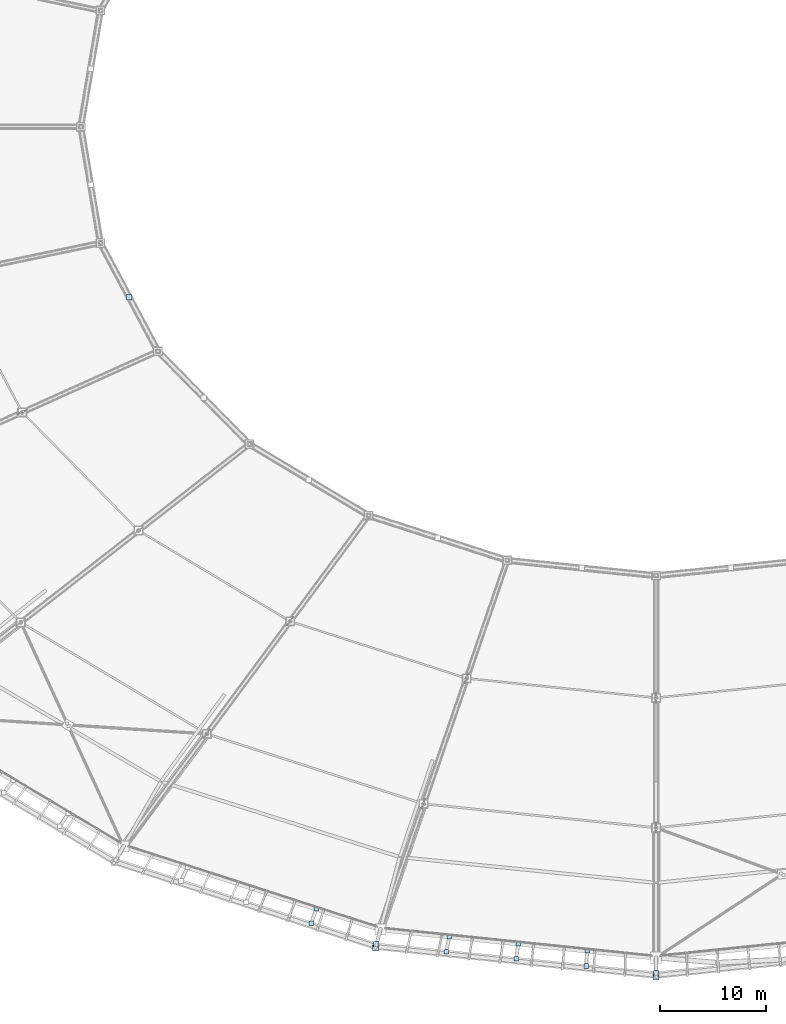
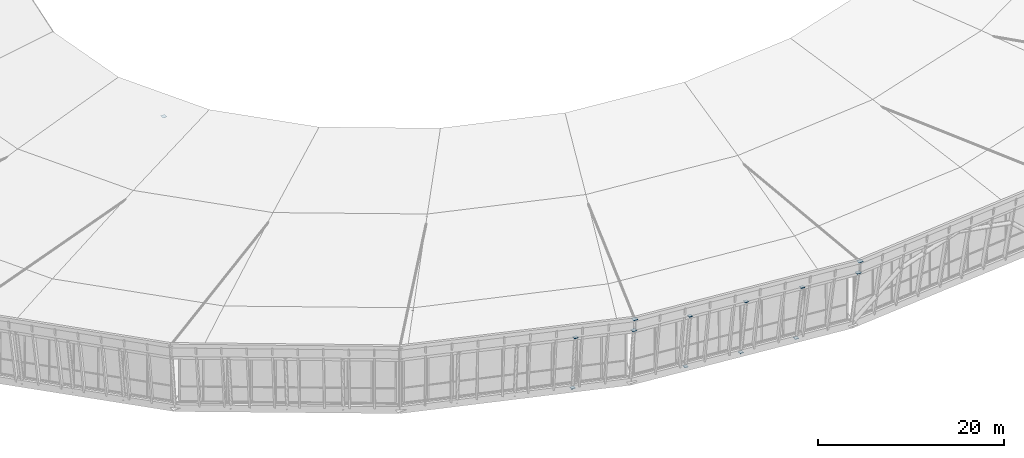
# One storey, part 101 of 115: 13 plates.
"""IFC4 building model written with IfcOpenShell, lengths in metres."""

import ifcopenshell
import ifcopenshell.guid

model = None  # the IFC model being written
_history = None  # IfcOwnerHistory: only IFC2X3 demands one
_inside = {}  # id of a spatial element -> (the spatial element, [elements in it])
_under = {}  # id of a project, library or spatial element -> (it, [spatial elements below it])
_declared = {}  # id of a project -> (the project, [libraries it declares])
_typed = {}  # id of a type object -> (the type object, [elements of that type])
_made_of = {}  # id of a material, layer set ... -> (it, [elements and type objects made of it])


def new_model(schema):
    """Start an empty IFC model of exactly this schema.

    Asked for "IFC4X3", IfcOpenShell would pick the latest addendum, in which some entities
    have other attributes; the version numbers below select the first issue.
    IFC2X3 requires an IfcOwnerHistory on every rooted entity: one is made here for all.
    """
    global model, _history
    if schema == "IFC4X3":
        model = ifcopenshell.file(schema_version=(4, 3, 0, 0))
    else:
        model = ifcopenshell.file(schema=schema)
    _inside.clear()
    _under.clear()
    _declared.clear()
    _typed.clear()
    _made_of.clear()
    _history = None
    if model.schema == "IFC2X3":
        org = make("IfcOrganization", Name="unknown")
        user = make(
            "IfcPersonAndOrganization",
            ThePerson=make("IfcPerson", FamilyName="unknown"),
            TheOrganization=org,
        )
        app = make(
            "IfcApplication",
            ApplicationDeveloper=org,
            Version="unknown",
            ApplicationFullName="unknown",
            ApplicationIdentifier="unknown",
        )
        _history = make(
            "IfcOwnerHistory",
            OwningUser=user,
            OwningApplication=app,
            ChangeAction="ADDED",
            CreationDate=0,
        )
    return model


def make(cls, **values):
    """One entity of the class cls with the attributes given. An attribute that is None is left unset."""
    return model.create_entity(
        cls, **{name: value for name, value in values.items() if value is not None}
    )


def rooted(cls, **values):
    """An entity with a GlobalId (a new one), such as an element, a storey or a relation."""
    return make(cls, GlobalId=ifcopenshell.guid.new(), OwnerHistory=_history, **values)


def si_unit(unit_type, name, prefix=None):
    """IfcSIUnit, for example si_unit("LENGTHUNIT", "METRE", prefix="MILLI")."""
    return make("IfcSIUnit", UnitType=unit_type, Prefix=prefix, Name=name)


def assignment(units):
    """IfcUnitAssignment: the units of a project."""
    return None if units is None else make("IfcUnitAssignment", Units=units)


def point(xyz):
    """IfcCartesianPoint."""
    return None if xyz is None else make("IfcCartesianPoint", Coordinates=xyz)


def direction(xyz):
    """IfcDirection."""
    return None if xyz is None else make("IfcDirection", DirectionRatios=xyz)


def frame(location, z_axis=None, x_axis=None):
    """IfcAxis2Placement3D, a coordinate frame: its origin and axes. An axis left out is left unset."""
    return make(
        "IfcAxis2Placement3D",
        Location=point(location),
        Axis=direction(z_axis),
        RefDirection=direction(x_axis),
    )


def frame_2d(location, x_axis=None):
    """IfcAxis2Placement2D, a coordinate frame in the plane: its origin and x axis."""
    return make(
        "IfcAxis2Placement2D", Location=point(location), RefDirection=direction(x_axis)
    )


def origin():
    """The frame at (0, 0, 0) with its axes left unset."""
    return frame((0.0, 0.0, 0.0))


def origin_2d():
    """The frame at (0, 0) in the plane with its x axis left unset."""
    return frame_2d((0.0, 0.0))


def place(relative_to, where):
    """IfcLocalPlacement: puts the frame where relative to a parent placement (None: the world)."""
    return make(
        "IfcLocalPlacement", PlacementRelTo=relative_to, RelativePlacement=where
    )


def context(
    kind, dimensions, precision=None, world=None, true_north=None, identifier=None
):
    """IfcGeometricRepresentationContext, for example the 3D "Model" context."""
    return make(
        "IfcGeometricRepresentationContext",
        ContextIdentifier=identifier,
        ContextType=kind,
        CoordinateSpaceDimension=dimensions,
        Precision=precision,
        WorldCoordinateSystem=world,
        TrueNorth=true_north,
    )


def subcontext(parent, identifier, kind, view, scale=None):
    """IfcGeometricRepresentationSubContext, for example "Body" below "Model"."""
    return make(
        "IfcGeometricRepresentationSubContext",
        ContextIdentifier=identifier,
        ContextType=kind,
        ParentContext=parent,
        TargetScale=scale,
        TargetView=view,
    )


def project(units=None, contexts=None):
    """IfcProject with its units and contexts."""
    return rooted(
        "IfcProject",
        Name="project",
        RepresentationContexts=contexts,
        UnitsInContext=assignment(units),
    )


def spatial(cls, under=None, at=None, **own):
    """A site, building, storey or space (cls), placed at a placement, below another one or the project."""
    s = rooted(cls, ObjectPlacement=at, **own)
    if under is not None:
        _under.setdefault(under.id(), (under, []))[1].append(s)
    return s


def profile(cls, at=None, kind="AREA", **sizes):
    """A parametric profile (cls). Its sizes go by their IFC names, for example OverallWidth=200.0."""
    return make(cls, ProfileType=kind, Position=at, **sizes)


def rectangle(**sizes):
    """IfcRectangleProfileDef."""
    return profile("IfcRectangleProfileDef", **sizes)


def extrude(swept, where, along, depth):
    """IfcExtrudedAreaSolid: the profile swept, set in the frame where, extruded along a direction by depth."""
    return make(
        "IfcExtrudedAreaSolid",
        SweptArea=swept,
        Position=where,
        ExtrudedDirection=direction(along),
        Depth=depth,
    )


def shape(context_of_items, identifier, shape_type, items):
    """IfcShapeRepresentation: the items that make up one representation, for example the "Body"."""
    return make(
        "IfcShapeRepresentation",
        ContextOfItems=context_of_items,
        RepresentationIdentifier=identifier,
        RepresentationType=shape_type,
        Items=items,
    )


def material(Name=None, Category=None):
    """IfcMaterial."""
    return make("IfcMaterial", Name=Name, Category=Category)


def layer(
    of_material, thickness, ventilated=None, Name=None, Category=None, Priority=None
):
    """IfcMaterialLayer: one layer of a wall or slab, of a material (None: an air gap)."""
    return make(
        "IfcMaterialLayer",
        Material=of_material,
        LayerThickness=thickness,
        IsVentilated=ventilated,
        Name=Name,
        Category=Category,
        Priority=Priority,
    )


def layer_set(layers, Name=None):
    """IfcMaterialLayerSet."""
    return make("IfcMaterialLayerSet", MaterialLayers=layers, LayerSetName=Name)


def made_of(thing, what):
    """Note that an element or type object is made of a material, layer set ...; save() writes the relation."""
    if what is not None:
        _made_of.setdefault(what.id(), (what, []))[1].append(thing)
    return thing


def type_object(cls, material=None, **own):
    """A type object (cls), such as IfcWallType, which elements share."""
    return made_of(rooted(cls, **own), material)


def element(
    cls,
    number,
    at=None,
    inside=None,
    cuts=None,
    type_object=None,
    material=None,
    context=None,
    identifier="Body",
    shape_type=None,
    held_by="IfcProductDefinitionShape",
    body=None,
    shapes=None,
    **own,
):
    """One element of the class cls, such as IfcWall. Its Tag is "e" and its number.

    at: its placement. inside: the storey or other place that contains it. cuts: it is an
    opening in that element (IfcRelVoidsElement). A single representation is given by context,
    identifier, shape_type and body (its items); several are given by shapes. held_by: the class
    of the entity that holds the representations. save() writes the other relations.
    """
    e = rooted(cls, Tag="e%d" % number, ObjectPlacement=at, **own)
    if body is not None:
        shapes = [shape(context, identifier, shape_type, body)]
    if shapes is not None:
        e.Representation = make(held_by, Representations=shapes)
    if inside is not None:
        _inside.setdefault(inside.id(), (inside, []))[1].append(e)
    if cuts is not None:
        rooted(
            "IfcRelVoidsElement", RelatingBuildingElement=cuts, RelatedOpeningElement=e
        )
    if type_object is not None:
        _typed.setdefault(type_object.id(), (type_object, []))[1].append(e)
    return made_of(e, material)


def aggregate(whole, parts):
    """IfcRelAggregates: a whole, such as a stair, and the parts it consists of."""
    return rooted("IfcRelAggregates", RelatingObject=whole, RelatedObjects=parts)


def save(model, path):
    """Write the relations noted so far, then the file.

    IfcRelAggregates (storeys below a building ...), IfcRelContainedInSpatialStructure (elements
    in a storey), IfcRelDefinesByType, IfcRelAssociatesMaterial and IfcRelDeclares: one each for
    every whole, place, type object, material and project.
    """
    for whole, parts in _under.values():
        aggregate(whole, parts)
    for where, things in _inside.values():
        rooted(
            "IfcRelContainedInSpatialStructure",
            RelatedElements=things,
            RelatingStructure=where,
        )
    for kind, things in _typed.values():
        rooted("IfcRelDefinesByType", RelatedObjects=things, RelatingType=kind)
    for what, things in _made_of.values():
        rooted("IfcRelAssociatesMaterial", RelatedObjects=things, RelatingMaterial=what)
    for by, libraries in _declared.values():
        rooted("IfcRelDeclares", RelatingContext=by, RelatedDefinitions=libraries)
    model.write(path)


model = new_model("IFC4")

# Units and contexts
model_context = context("Model", 3, precision=1e-05, world=origin(), true_north=direction((0.0, 1.0)))
body_context = subcontext(model_context, "Body", "Model", "MODEL_VIEW")
ifc_project = project(units=[si_unit("LENGTHUNIT", "METRE"), si_unit("AREAUNIT", "SQUARE_METRE"), si_unit("VOLUMEUNIT", "CUBIC_METRE"), si_unit("PLANEANGLEUNIT", "RADIAN"), si_unit("MASSUNIT", "GRAM", prefix="KILO")], contexts=[model_context])

# Site, building, storey
site_placement = place(None, origin())
site = spatial("IfcSite", under=ifc_project, at=site_placement, CompositionType="ELEMENT")
building_placement = place(site_placement, origin())
building = spatial("IfcBuilding", under=site, at=building_placement, Name="Zlatoyarsky Gate Stadium", CompositionType="ELEMENT")
storey_placement = place(building_placement, frame((0.0, 0.0, 31.800048828125)))
storey = spatial("IfcBuildingStorey", under=building, at=storey_placement, Name="RF", CompositionType="ELEMENT", Elevation=31.800048828125)

# Plates
ifc_material = material(Name="Steel S355", Category="steel")
ifc_layer = layer(ifc_material, 0.02392578125)
ifc_layer_set = layer_set([ifc_layer], Name="Steel S355")
plate_type = type_object("IfcPlateType", Name="STEEL HOLLOW CHORD SPLICE SHEET 24", PredefinedType="SHEET", material=ifc_layer_set)
plate_1_placement = place(storey_placement, frame((61.523681640625, 64.013671875, 6.43798828125), z_axis=(0.0, 0.0, 1.0), x_axis=(1.0, 0.0, 0.0)))
element("IfcPlate", 1, at=plate_1_placement, inside=storey, type_object=plate_type, Name="Node closure plate ND-SP1 NCAP-CATM-13", PredefinedType="SHEET", context=body_context, shape_type="SweptSolid", body=[
    extrude(rectangle(XDim=0.52001953125, YDim=0.52001953125, at=origin_2d()), origin(), (0.0, 0.0, 1.0), 0.02392578125),
])
for number, where, z_axis, x_axis, name in (
    (2, (79.079833984375, 6.579833984375, -0.4619140625), (0.0, 0.0, 1.0), (1.0, 0.0, 0.0), "Node closure plate ND-SP1 NCAP-RIB-16-3-4T"),
    (3, (78.611328125, 5.19873046875, 7.137939453125), (0.0, 0.0, 1.0), (1.0, 0.0, 0.0), "Node closure plate ND-SP1 NCAP-RIB-16-3-5T"),
):
    element("IfcPlate", number, at=place(storey_placement, frame(where, z_axis=z_axis, x_axis=x_axis)), inside=storey, type_object=plate_type, Name=name, PredefinedType="SHEET", context=body_context, shape_type="SweptSolid", body=[
        extrude(rectangle(XDim=0.43994140625, YDim=0.43994140625, at=origin_2d()), origin(), (0.0, 0.0, 1.0), 0.02392578125),
    ])
plate_2_placement = place(storey_placement, frame((84.640869140625, 2.87646484375, 8.837890625), z_axis=(0.0, 0.0, 1.0), x_axis=(1.0, 0.0, 0.0)))
element("IfcPlate", 4, at=plate_2_placement, inside=storey, type_object=plate_type, Name="Node closure plate ND-SP1 NCAP-FSC-17", PredefinedType="SHEET", context=body_context, shape_type="SweptSolid", body=[
    extrude(rectangle(XDim=0.56005859375, YDim=0.56005859375, at=origin_2d()), origin(), (0.0, 0.0, 1.0), 0.02392578125),
])
plate_3_placement = place(storey_placement, frame((84.731201171875, 3.21337890625, 7.137939453125), z_axis=(0.0, 0.0, 1.0), x_axis=(1.0, 0.0, 0.0)))
element("IfcPlate", 5, at=plate_3_placement, inside=storey, type_object=plate_type, Name="Node closure plate ND-SP1 NCAP-FSCB-17", PredefinedType="SHEET", context=body_context, shape_type="SweptSolid", body=[
    extrude(rectangle(XDim=0.52001953125, YDim=0.52001953125, at=origin_2d()), origin(), (0.0, 0.0, 1.0), 0.02392578125),
])
for number, where, z_axis, x_axis, name in (
    (6, (91.583251953125, 3.96630859375, -0.4619140625), (0.0, 0.0, 1.0), (1.0, 0.0, 0.0), "Node closure plate ND-SP1 NCAP-RIB-17-1-4T"),
    (7, (91.29833984375, 2.5361328125, 7.137939453125), (0.0, 0.0, 1.0), (1.0, 0.0, 0.0), "Node closure plate ND-SP1 NCAP-RIB-17-1-5T"),
    (8, (98.055419921875, 3.3017578125, -0.4619140625), (0.0, 0.0, 1.0), (1.0, 0.0, 0.0), "Node closure plate ND-SP1 NCAP-RIB-17-2-4T"),
    (9, (97.865478515625, 1.859130859375, 7.137939453125), (0.0, 0.0, 1.0), (1.0, 0.0, 0.0), "Node closure plate ND-SP1 NCAP-RIB-17-2-5T"),
    (10, (104.527587890625, 2.63720703125, -0.4619140625), (0.0, 0.0, 1.0), (1.0, 0.0, 0.0), "Node closure plate ND-SP1 NCAP-RIB-17-3-4T"),
    (11, (104.432861328125, 1.181884765625, 7.137939453125), (0.0, 0.0, 1.0), (1.0, 0.0, 0.0), "Node closure plate ND-SP1 NCAP-RIB-17-3-5T"),
):
    element("IfcPlate", number, at=place(storey_placement, frame(where, z_axis=z_axis, x_axis=x_axis)), inside=storey, type_object=plate_type, Name=name, PredefinedType="SHEET", context=body_context, shape_type="SweptSolid", body=[
        extrude(rectangle(XDim=0.43994140625, YDim=0.43994140625, at=origin_2d()), origin(), (0.0, 0.0, 1.0), 0.02392578125),
    ])
plate_4_placement = place(storey_placement, frame((111.0, 0.15576171875, 8.837890625), z_axis=(0.0, 0.0, 1.0), x_axis=(1.0, 0.0, 0.0)))
element("IfcPlate", 12, at=plate_4_placement, inside=storey, type_object=plate_type, Name="Node closure plate ND-SP1 NCAP-FSC-18", PredefinedType="SHEET", context=body_context, shape_type="SweptSolid", body=[
    extrude(rectangle(XDim=0.56005859375, YDim=0.56005859375, at=origin_2d()), origin(), (0.0, 0.0, 1.0), 0.02392578125),
])
plate_5_placement = place(storey_placement, frame((111.0, 0.504638671875, 7.137939453125), z_axis=(0.0, 0.0, 1.0), x_axis=(1.0, 0.0, 0.0)))
element("IfcPlate", 13, at=plate_5_placement, inside=storey, type_object=plate_type, Name="Node closure plate ND-SP1 NCAP-FSCB-18", PredefinedType="SHEET", context=body_context, shape_type="SweptSolid", body=[
    extrude(rectangle(XDim=0.52001953125, YDim=0.52001953125, at=origin_2d()), origin(), (0.0, 0.0, 1.0), 0.02392578125),
])

save(model, "model.ifc")
